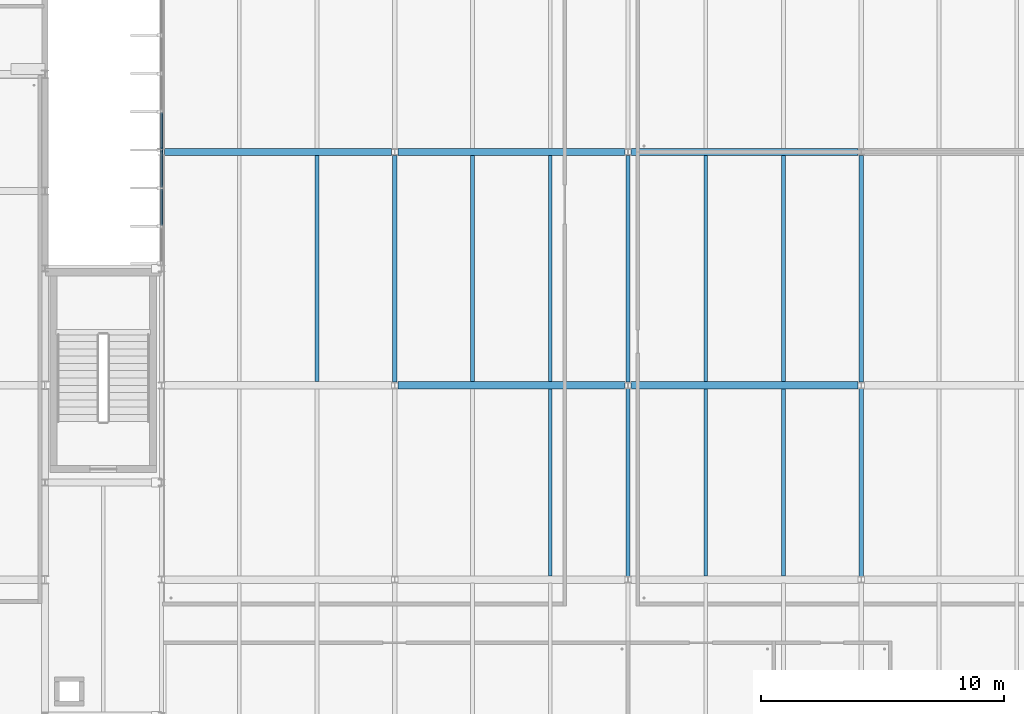
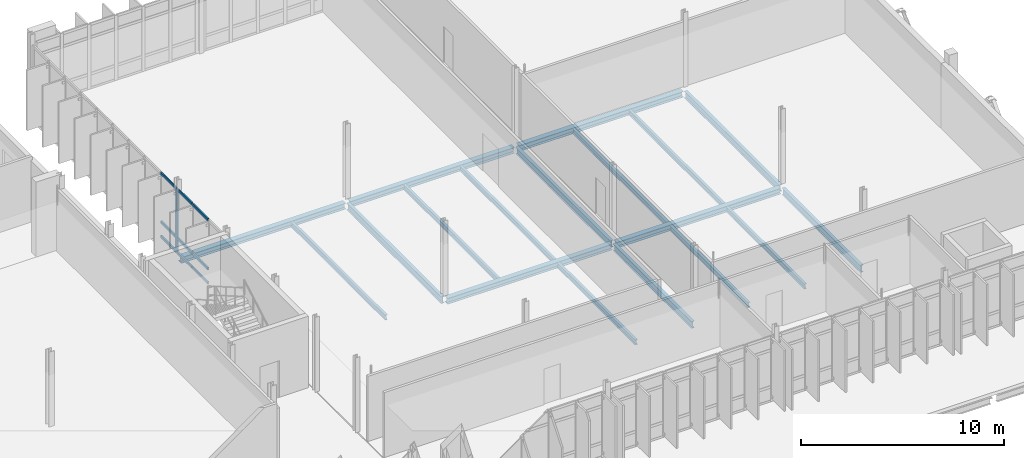
# One storey, part 41 of 107: 18 beams, 10 members, 1 element without a shape of its own.
"""IFC4 building model written with IfcOpenShell, lengths in metres."""

from ifc_helpers import new_model, si_unit, direction, frame, origin, origin_2d, place, context, subcontext, project, spatial, rectangle, i_section, extrude, material, material_profile, profile_set, type_object, element, aggregate, save


model = new_model("IFC4")

# Units and contexts
model_context = context("Model", 3, precision=1e-05, world=origin(), true_north=direction((0.0, 1.0)))
body_context = subcontext(model_context, "Body", "Model", "MODEL_VIEW")
ifc_project = project(units=[si_unit("LENGTHUNIT", "METRE"), si_unit("AREAUNIT", "SQUARE_METRE"), si_unit("VOLUMEUNIT", "CUBIC_METRE"), si_unit("PLANEANGLEUNIT", "RADIAN"), si_unit("MASSUNIT", "GRAM", prefix="KILO")], contexts=[model_context])

# Site, building, storey
site_placement = place(None, origin())
site = spatial("IfcSite", under=ifc_project, at=site_placement, CompositionType="ELEMENT")
building_placement = place(site_placement, origin())
building = spatial("IfcBuilding", under=site, at=building_placement, Name="Dunescarp Central Library", CompositionType="ELEMENT")
storey_placement = place(building_placement, frame((0.0, 0.0, 5.10009765625)))
storey = spatial("IfcBuildingStorey", under=building, at=storey_placement, Name="L01", CompositionType="ELEMENT", Elevation=5.10009765625)

# Curtain wall, members
ifc_material_1 = material(Name="Marine-grade anodised aluminium 6063-T6", Category="aluminium")
curtain_wall_type = type_object("IfcCurtainWallType", Name="ARC-CW-STICK", PredefinedType="NOTDEFINED", material=ifc_material_1)
curtain_wall_placement = place(storey_placement, origin())
curtain_wall = element("IfcCurtainWall", 1, at=curtain_wall_placement, inside=storey, type_object=curtain_wall_type, Name="L01 curtain wall CW-V5-161", PredefinedType="NOTDEFINED")
ifc_material_profile_1 = material_profile(ifc_material_1, rectangle(XDim=0.080078125, YDim=0.179931640625, at=origin_2d()), Name="AL 80x180")
ifc_profile_set_1 = profile_set([ifc_material_profile_1], Name="Marine-grade anodised aluminium 6063-T6")
member_type_1 = type_object("IfcMemberType", Name="ARC-CWM-180", PredefinedType="MULLION", material=ifc_profile_set_1)
member_1_placement = place(storey_placement, frame((129.60009765625, 30.487548828125, 0.0), z_axis=(0.0, 0.0, 1.0), x_axis=(-1.0, 0.0, 0.0)))
member_1 = element("IfcMember", 2, at=member_1_placement, type_object=member_type_1, Name="CW-V5-161 mullion 4", PredefinedType="MULLION", context=body_context, shape_type="SweptSolid", body=[
    extrude(rectangle(XDim=0.080078125, YDim=0.179931640625, at=origin_2d()), origin(), (0.0, 0.0, 1.0), 3.875),
])
ifc_material_profile_2 = material_profile(ifc_material_1, rectangle(XDim=0.080078125, YDim=0.14990234375, at=origin_2d()), Name="AL 80x150")
ifc_profile_set_2 = profile_set([ifc_material_profile_2], Name="Marine-grade anodised aluminium 6063-T6")
member_type_2 = type_object("IfcMemberType", Name="ARC-CWT-150", PredefinedType="USERDEFINED", material=ifc_profile_set_2)
member_2_placement = place(storey_placement, frame((129.60009765625, 27.3857421875, 0.039794921875), z_axis=(0.0, 1.0, 0.0), x_axis=(-1.0, 0.0, 0.0)))
member_2 = element("IfcMember", 3, at=member_2_placement, type_object=member_type_2, Name="CW-V5-161 transom 2.1", ObjectType="TRANSOM", PredefinedType="USERDEFINED", context=body_context, shape_type="SweptSolid", body=[
    extrude(rectangle(XDim=0.080078125, YDim=0.14990234375, at=origin_2d()), origin(), (0.0, 0.0, 1.0), 1.490966796875),
])
member_3_placement = place(storey_placement, frame((129.60009765625, 27.3857421875, 0.89990234375), z_axis=(0.0, 1.0, 0.0), x_axis=(-1.0, 0.0, 0.0)))
member_3 = element("IfcMember", 4, at=member_3_placement, type_object=member_type_2, Name="CW-V5-161 transom 2.2", ObjectType="TRANSOM", PredefinedType="USERDEFINED", context=body_context, shape_type="SweptSolid", body=[
    extrude(rectangle(XDim=0.080078125, YDim=0.14990234375, at=origin_2d()), origin(), (0.0, 0.0, 1.0), 1.490966796875),
])
member_4_placement = place(storey_placement, frame((129.60009765625, 27.3857421875, 3.8349609375), z_axis=(0.0, 1.0, 0.0), x_axis=(-1.0, 0.0, 0.0)))
member_4 = element("IfcMember", 5, at=member_4_placement, type_object=member_type_2, Name="CW-V5-161 transom 2.3", ObjectType="TRANSOM", PredefinedType="USERDEFINED", context=body_context, shape_type="SweptSolid", body=[
    extrude(rectangle(XDim=0.080078125, YDim=0.14990234375, at=origin_2d()), origin(), (0.0, 0.0, 1.0), 1.490966796875),
])
member_5_placement = place(storey_placement, frame((129.60009765625, 28.956787109375, 0.039794921875), z_axis=(0.0, 1.0, 0.0), x_axis=(-1.0, 0.0, 0.0)))
member_5 = element("IfcMember", 6, at=member_5_placement, type_object=member_type_2, Name="CW-V5-161 transom 3.1", ObjectType="TRANSOM", PredefinedType="USERDEFINED", context=body_context, shape_type="SweptSolid", body=[
    extrude(rectangle(XDim=0.080078125, YDim=0.14990234375, at=origin_2d()), origin(), (0.0, 0.0, 1.0), 1.49072265625),
])
member_6_placement = place(storey_placement, frame((129.60009765625, 28.956787109375, 0.89990234375), z_axis=(0.0, 1.0, 0.0), x_axis=(-1.0, 0.0, 0.0)))
member_6 = element("IfcMember", 7, at=member_6_placement, type_object=member_type_2, Name="CW-V5-161 transom 3.2", ObjectType="TRANSOM", PredefinedType="USERDEFINED", context=body_context, shape_type="SweptSolid", body=[
    extrude(rectangle(XDim=0.080078125, YDim=0.14990234375, at=origin_2d()), origin(), (0.0, 0.0, 1.0), 1.49072265625),
])
member_7_placement = place(storey_placement, frame((129.60009765625, 28.956787109375, 3.8349609375), z_axis=(0.0, 1.0, 0.0), x_axis=(-1.0, 0.0, 0.0)))
member_7 = element("IfcMember", 8, at=member_7_placement, type_object=member_type_2, Name="CW-V5-161 transom 3.3", ObjectType="TRANSOM", PredefinedType="USERDEFINED", context=body_context, shape_type="SweptSolid", body=[
    extrude(rectangle(XDim=0.080078125, YDim=0.14990234375, at=origin_2d()), origin(), (0.0, 0.0, 1.0), 1.49072265625),
])
member_8_placement = place(storey_placement, frame((129.60009765625, 30.527587890625, 0.039794921875), z_axis=(0.0, 1.0, 0.0), x_axis=(-1.0, 0.0, 0.0)))
member_8 = element("IfcMember", 9, at=member_8_placement, type_object=member_type_2, Name="CW-V5-161 transom 4.1", ObjectType="TRANSOM", PredefinedType="USERDEFINED", context=body_context, shape_type="SweptSolid", body=[
    extrude(rectangle(XDim=0.080078125, YDim=0.14990234375, at=origin_2d()), origin(), (0.0, 0.0, 1.0), 1.49072265625),
])
member_9_placement = place(storey_placement, frame((129.60009765625, 30.527587890625, 0.89990234375), z_axis=(0.0, 1.0, 0.0), x_axis=(-1.0, 0.0, 0.0)))
member_9 = element("IfcMember", 10, at=member_9_placement, type_object=member_type_2, Name="CW-V5-161 transom 4.2", ObjectType="TRANSOM", PredefinedType="USERDEFINED", context=body_context, shape_type="SweptSolid", body=[
    extrude(rectangle(XDim=0.080078125, YDim=0.14990234375, at=origin_2d()), origin(), (0.0, 0.0, 1.0), 1.49072265625),
])
member_10_placement = place(storey_placement, frame((129.60009765625, 30.527587890625, 3.8349609375), z_axis=(0.0, 1.0, 0.0), x_axis=(-1.0, 0.0, 0.0)))
member_10 = element("IfcMember", 11, at=member_10_placement, type_object=member_type_2, Name="CW-V5-161 transom 4.3", ObjectType="TRANSOM", PredefinedType="USERDEFINED", context=body_context, shape_type="SweptSolid", body=[
    extrude(rectangle(XDim=0.080078125, YDim=0.14990234375, at=origin_2d()), origin(), (0.0, 0.0, 1.0), 1.49072265625),
])
aggregate(curtain_wall, [member_1, member_2, member_3, member_4, member_5, member_6, member_7, member_8, member_9, member_10])

# Beams
ifc_material_2 = material(Name="Steel S355JR", Category="steel")
ifc_material_profile_3 = material_profile(ifc_material_2, i_section(OverallWidth=0.300048828125, OverallDepth=0.35009765625, WebThickness=0.010009765625, FlangeThickness=0.017578125, at=origin_2d()), Name="HEA 360")
ifc_profile_set_3 = profile_set([ifc_material_profile_3], Name="Steel S355JR")
beam_type_1 = type_object("IfcBeamType", Name="STR-BM-IPE400", PredefinedType="BEAM", material=ifc_profile_set_3)
beam_1_placement = place(storey_placement, frame((129.72802734375, 30.39990234375, -0.39501953125), z_axis=(1.0, 0.0, 0.0), x_axis=(0.0, 1.0, 0.0)))
element("IfcBeam", 12, at=beam_1_placement, inside=storey, type_object=beam_type_1, Name="L01 girder BM-L01-1082", PredefinedType="BEAM", context=body_context, shape_type="SweptSolid", body=[
    extrude(i_section(OverallWidth=0.300048828125, OverallDepth=0.35009765625, WebThickness=0.010009765625, FlangeThickness=0.017578125, at=origin_2d()), origin(), (0.0, 0.0, 1.0), 9.343994140625),
])
for number, where, z_axis, x_axis, name in (
    (13, (139.327880859375, 20.800048828125, -0.39501953125), (1.0, 0.0, 0.0), (0.0, 1.0, 0.0), "L01 girder BM-L01-1097"),
    (14, (139.327880859375, 30.39990234375, -0.39501953125), (1.0, 0.0, 0.0), (0.0, 1.0, 0.0), "L01 girder BM-L01-1101"),
):
    element("IfcBeam", number, at=place(storey_placement, frame(where, z_axis=z_axis, x_axis=x_axis)), inside=storey, type_object=beam_type_1, Name=name, PredefinedType="BEAM", context=body_context, shape_type="SweptSolid", body=[
        extrude(i_section(OverallWidth=0.300048828125, OverallDepth=0.35009765625, WebThickness=0.010009765625, FlangeThickness=0.017578125, at=origin_2d()), origin(), (0.0, 0.0, 1.0), 9.34423828125),
    ])
for number, where, z_axis, x_axis, name in (
    (15, (148.927978515625, 20.800048828125, -0.39501953125), (1.0, 0.0, 0.0), (0.0, 1.0, 0.0), "L01 girder BM-L01-1114"),
    (16, (148.927978515625, 30.39990234375, -0.39501953125), (1.0, 0.0, 0.0), (0.0, 1.0, 0.0), "L01 girder BM-L01-1118"),
):
    element("IfcBeam", number, at=place(storey_placement, frame(where, z_axis=z_axis, x_axis=x_axis)), inside=storey, type_object=beam_type_1, Name=name, PredefinedType="BEAM", context=body_context, shape_type="SweptSolid", body=[
        extrude(i_section(OverallWidth=0.300048828125, OverallDepth=0.35009765625, WebThickness=0.010009765625, FlangeThickness=0.017578125, at=origin_2d()), origin(), (0.0, 0.0, 1.0), 9.343994140625),
    ])
ifc_material_profile_4 = material_profile(ifc_material_2, i_section(OverallWidth=0.179443359375, OverallDepth=0.412841796875, WebThickness=0.009521484375, FlangeThickness=0.01611328125, at=origin_2d()), Name="UB 406x178x74")
ifc_profile_set_4 = profile_set([ifc_material_profile_4], Name="Steel S355JR")
beam_type_2 = type_object("IfcBeamType", Name="STR-BM-UB406", PredefinedType="BEAM", material=ifc_profile_set_4)
beam_2_placement = place(storey_placement, frame((139.199951171875, 20.93505859375, -0.426025390625), z_axis=(0.0, 1.0, 0.0), x_axis=(-1.0, 0.0, 0.0)))
element("IfcBeam", 17, at=beam_2_placement, inside=storey, type_object=beam_type_2, Name="L01 girder BM-L01-1084", PredefinedType="BEAM", context=body_context, shape_type="SweptSolid", body=[
    extrude(i_section(OverallWidth=0.179443359375, OverallDepth=0.412841796875, WebThickness=0.009521484375, FlangeThickness=0.01611328125, at=origin_2d()), origin(), (0.0, 0.0, 1.0), 9.329833984375),
])
beam_3_placement = place(storey_placement, frame((148.800048828125, 12.93505859375, -0.426025390625), z_axis=(0.0, 1.0, 0.0), x_axis=(-1.0, 0.0, 0.0)))
element("IfcBeam", 18, at=beam_3_placement, inside=storey, type_object=beam_type_2, Name="L01 girder BM-L01-1098", PredefinedType="BEAM", context=body_context, shape_type="SweptSolid", body=[
    extrude(i_section(OverallWidth=0.179443359375, OverallDepth=0.412841796875, WebThickness=0.009521484375, FlangeThickness=0.01611328125, at=origin_2d()), origin(), (0.0, 0.0, 1.0), 7.72998046875),
])
beam_4_placement = place(storey_placement, frame((148.800048828125, 20.93505859375, -0.426025390625), z_axis=(0.0, 1.0, 0.0), x_axis=(-1.0, 0.0, 0.0)))
element("IfcBeam", 19, at=beam_4_placement, inside=storey, type_object=beam_type_2, Name="L01 girder BM-L01-1102", PredefinedType="BEAM", context=body_context, shape_type="SweptSolid", body=[
    extrude(i_section(OverallWidth=0.179443359375, OverallDepth=0.412841796875, WebThickness=0.009521484375, FlangeThickness=0.01611328125, at=origin_2d()), origin(), (0.0, 0.0, 1.0), 9.329833984375),
])
beam_5_placement = place(storey_placement, frame((158.39990234375, 12.93505859375, -0.426025390625), z_axis=(0.0, 1.0, 0.0), x_axis=(-1.0, 0.0, 0.0)))
element("IfcBeam", 20, at=beam_5_placement, inside=storey, type_object=beam_type_2, Name="L01 girder BM-L01-1115", PredefinedType="BEAM", context=body_context, shape_type="SweptSolid", body=[
    extrude(i_section(OverallWidth=0.179443359375, OverallDepth=0.412841796875, WebThickness=0.009521484375, FlangeThickness=0.01611328125, at=origin_2d()), origin(), (0.0, 0.0, 1.0), 7.72998046875),
])
beam_6_placement = place(storey_placement, frame((158.39990234375, 20.93505859375, -0.426025390625), z_axis=(0.0, 1.0, 0.0), x_axis=(-1.0, 0.0, 0.0)))
element("IfcBeam", 21, at=beam_6_placement, inside=storey, type_object=beam_type_2, Name="L01 girder BM-L01-1119", PredefinedType="BEAM", context=body_context, shape_type="SweptSolid", body=[
    extrude(i_section(OverallWidth=0.179443359375, OverallDepth=0.412841796875, WebThickness=0.009521484375, FlangeThickness=0.01611328125, at=origin_2d()), origin(), (0.0, 0.0, 1.0), 9.329833984375),
])
ifc_material_profile_5 = material_profile(ifc_material_2, i_section(OverallWidth=0.14990234375, OverallDepth=0.300048828125, WebThickness=0.007080078125, FlangeThickness=0.0107421875, at=origin_2d()), Name="IPE 300")
ifc_profile_set_5 = profile_set([ifc_material_profile_5], Name="Steel S355JR")
beam_type_3 = type_object("IfcBeamType", Name="STR-JS-IPE300", PredefinedType="JOIST", material=ifc_profile_set_5)
beam_7_placement = place(storey_placement, frame((136.0, 20.947998046875, -0.3701171875), z_axis=(0.0, 1.0, 0.0), x_axis=(-1.0, 0.0, 0.0)))
element("IfcBeam", 22, at=beam_7_placement, inside=storey, type_object=beam_type_3, Name="L01 joist JS-L01-1086", PredefinedType="JOIST", context=body_context, shape_type="SweptSolid", body=[
    extrude(i_section(OverallWidth=0.14990234375, OverallDepth=0.300048828125, WebThickness=0.007080078125, FlangeThickness=0.0107421875, at=origin_2d()), origin(), (0.0, 0.0, 1.0), 9.303955078125),
])
beam_8_placement = place(storey_placement, frame((145.60009765625, 12.947998046875, -0.3701171875), z_axis=(0.0, 1.0, 0.0), x_axis=(-1.0, 0.0, 0.0)))
element("IfcBeam", 23, at=beam_8_placement, inside=storey, type_object=beam_type_3, Name="L01 joist JS-L01-1100", PredefinedType="JOIST", context=body_context, shape_type="SweptSolid", body=[
    extrude(i_section(OverallWidth=0.14990234375, OverallDepth=0.300048828125, WebThickness=0.007080078125, FlangeThickness=0.0107421875, at=origin_2d()), origin(), (0.0, 0.0, 1.0), 7.7041015625),
])
for number, where, z_axis, x_axis, name in (
    (24, (142.39990234375, 20.947998046875, -0.3701171875), (0.0, 1.0, 0.0), (-1.0, 0.0, 0.0), "L01 joist JS-L01-1103"),
    (25, (145.60009765625, 20.947998046875, -0.3701171875), (0.0, 1.0, 0.0), (-1.0, 0.0, 0.0), "L01 joist JS-L01-1104"),
):
    element("IfcBeam", number, at=place(storey_placement, frame(where, z_axis=z_axis, x_axis=x_axis)), inside=storey, type_object=beam_type_3, Name=name, PredefinedType="JOIST", context=body_context, shape_type="SweptSolid", body=[
        extrude(i_section(OverallWidth=0.14990234375, OverallDepth=0.300048828125, WebThickness=0.007080078125, FlangeThickness=0.0107421875, at=origin_2d()), origin(), (0.0, 0.0, 1.0), 9.303955078125),
    ])
for number, where, z_axis, x_axis, name in (
    (26, (152.0, 12.947998046875, -0.3701171875), (0.0, 1.0, 0.0), (-1.0, 0.0, 0.0), "L01 joist JS-L01-1116"),
    (27, (155.199951171875, 12.947998046875, -0.3701171875), (0.0, 1.0, 0.0), (-1.0, 0.0, 0.0), "L01 joist JS-L01-1117"),
):
    element("IfcBeam", number, at=place(storey_placement, frame(where, z_axis=z_axis, x_axis=x_axis)), inside=storey, type_object=beam_type_3, Name=name, PredefinedType="JOIST", context=body_context, shape_type="SweptSolid", body=[
        extrude(i_section(OverallWidth=0.14990234375, OverallDepth=0.300048828125, WebThickness=0.007080078125, FlangeThickness=0.0107421875, at=origin_2d()), origin(), (0.0, 0.0, 1.0), 7.7041015625),
    ])
for number, where, z_axis, x_axis, name in (
    (28, (152.0, 20.947998046875, -0.3701171875), (0.0, 1.0, 0.0), (-1.0, 0.0, 0.0), "L01 joist JS-L01-1120"),
    (29, (155.199951171875, 20.947998046875, -0.3701171875), (0.0, 1.0, 0.0), (-1.0, 0.0, 0.0), "L01 joist JS-L01-1121"),
):
    element("IfcBeam", number, at=place(storey_placement, frame(where, z_axis=z_axis, x_axis=x_axis)), inside=storey, type_object=beam_type_3, Name=name, PredefinedType="JOIST", context=body_context, shape_type="SweptSolid", body=[
        extrude(i_section(OverallWidth=0.14990234375, OverallDepth=0.300048828125, WebThickness=0.007080078125, FlangeThickness=0.0107421875, at=origin_2d()), origin(), (0.0, 0.0, 1.0), 9.303955078125),
    ])

save(model, "model.ifc")
